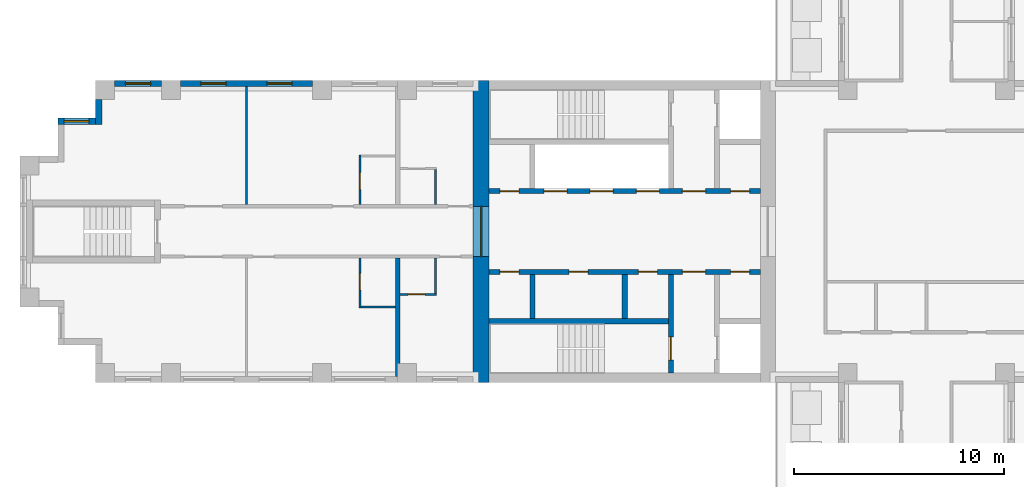
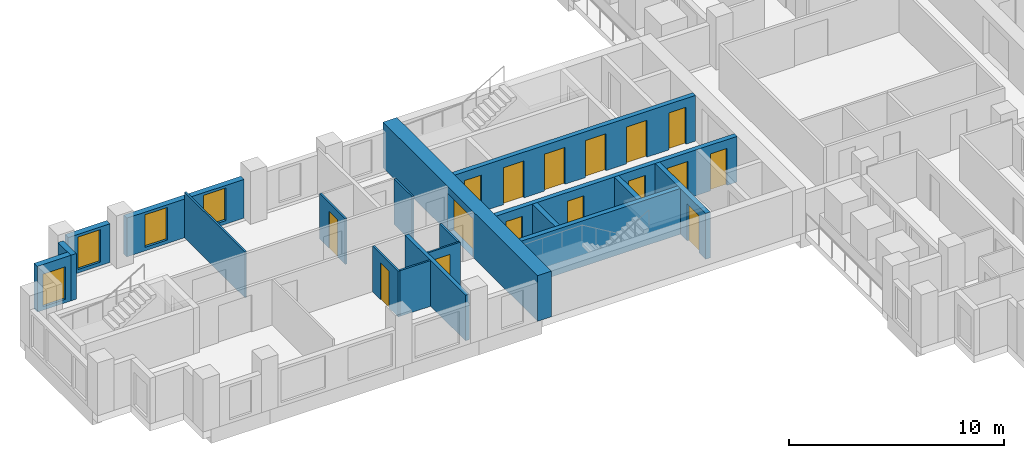
# One storey, part 3 of 11: 19 walls, 16 doors, 4 windows, 20 openings.
"""IFC4 building model written with IfcOpenShell, lengths in metres."""

from ifc_helpers import new_model, si_unit, direction, frame, frame_2d, origin, place, context, subcontext, project, spatial, rectangle, extrude, material, layer, layer_set, type_object, element, fill, save


model = new_model("IFC4")

# Units and contexts
model_context = context("Model", 3, precision=1e-05, world=origin(), true_north=direction((0.0, 1.0)))
body_context = subcontext(model_context, "Body", "Model", "MODEL_VIEW")
ifc_project = project(units=[si_unit("LENGTHUNIT", "METRE"), si_unit("AREAUNIT", "SQUARE_METRE"), si_unit("VOLUMEUNIT", "CUBIC_METRE"), si_unit("PLANEANGLEUNIT", "RADIAN"), si_unit("MASSUNIT", "GRAM", prefix="KILO")], contexts=[model_context])

# Site, building, storey
site_placement = place(None, origin())
site = spatial("IfcSite", under=ifc_project, at=site_placement, CompositionType="ELEMENT")
building_placement = place(site_placement, origin())
building = spatial("IfcBuilding", under=site, at=building_placement, Name="Fustian Cross Tower", CompositionType="ELEMENT")
storey_placement = place(building_placement, frame((0.0, 0.0, 123.300048828125)))
storey = spatial("IfcBuildingStorey", under=building, at=storey_placement, Name="L38", CompositionType="ELEMENT", Elevation=123.300048828125)

# Wall, opening, door
ifc_material_1 = material(Name="Concrete C60/75", Category="concrete")
ifc_layer_1 = layer(ifc_material_1, 0.75)
ifc_layer_set_1 = layer_set([ifc_layer_1], Name="Concrete C60/75")
wall_type_1 = type_object("IfcWallType", Name="CORE END WALL 750 C60/75", PredefinedType="SHEAR", material=ifc_layer_set_1)
wall_1_placement = place(storey_placement, frame((-21.22509765625, -7.199951171875, 0.0), z_axis=(0.0, 0.0, 1.0), x_axis=(0.0, 1.0, 0.0)))
wall_1 = element("IfcWall", 1, at=wall_1_placement, inside=storey, type_object=wall_type_1, Name="Core end wall", PredefinedType="SHEAR", context=body_context, shape_type="SweptSolid", body=[
    extrude(rectangle(XDim=14.39990234375, YDim=0.75, at=frame_2d((7.199951171875, 0.0))), origin(), (0.0, 0.0, 1.0), 2.599853515625),
])
opening_1_placement = place(wall_1_placement, frame((6.0, 0.0, 0.0)))
opening_1 = element("IfcOpeningElement", 2, at=opening_1_placement, cuts=wall_1, Name="Opening CD-16-30", PredefinedType="OPENING", context=body_context, shape_type="SweptSolid", body=[
    extrude(rectangle(XDim=2.39990234375, YDim=2.199951171875, at=frame_2d((1.199951171875, 1.10009765625))), frame((0.0, 0.385009765625, 0.0), z_axis=(0.0, -1.0, 0.0), x_axis=(1.0, 0.0, 0.0)), (0.0, 0.0, 1.0), 0.77001953125),
])
ifc_material_2 = material(Name="Steel", Category="steel")
door_type_1 = type_object("IfcDoorType", Name="FIRE DOOR FD30S DOUBLE 2400X2200", OperationType="DOUBLE_DOOR_DOUBLE_SWING", PredefinedType="DOOR", material=ifc_material_2)
door_1_placement = place(opening_1_placement, frame((2.39990234375, 0.0, 0.0), z_axis=(0.0, 0.0, 1.0), x_axis=(-1.0, 0.0, 0.0)))
door_1 = element("IfcDoor", 3, at=door_1_placement, inside=storey, type_object=door_type_1, Name="Core door CD-16-30", OperationType="DOUBLE_DOOR_DOUBLE_SWING", OverallHeight=2.199951171875, OverallWidth=2.39990234375, PredefinedType="DOOR", context=body_context, shape_type="SweptSolid", body=[
    extrude(rectangle(XDim=2.39990234375, YDim=2.199951171875, at=frame_2d((1.199951171875, 1.10009765625))), frame((0.0, 0.02490234375, 0.0), z_axis=(0.0, -1.0, 0.0), x_axis=(1.0, 0.0, 0.0)), (0.0, 0.0, 1.0), 0.050048828125),
])
fill(opening_1, door_1)

# Wall, openings, doors
ifc_material_3 = material(Name="Concrete C50/60", Category="concrete")
ifc_layer_2 = layer(ifc_material_3, 0.25)
ifc_layer_set_2 = layer_set([ifc_layer_2], Name="Concrete C50/60")
wall_type_2 = type_object("IfcWallType", Name="CORE LOBBY WALL 250 C50/60", PredefinedType="SHEAR", material=ifc_layer_set_2)
wall_2_placement = place(storey_placement, frame((-7.89990234375, 1.925048828125, 0.0), z_axis=(0.0, 0.0, 1.0), x_axis=(-1.0, 0.0, 0.0)))
wall_2 = element("IfcWall", 4, at=wall_2_placement, inside=storey, type_object=wall_type_2, Name="Core lobby wall", PredefinedType="SHEAR", context=body_context, shape_type="SweptSolid", body=[
    extrude(rectangle(XDim=12.9501953125, YDim=0.25, at=frame_2d((6.47509765625, 0.0))), origin(), (0.0, 0.0, 1.0), 2.599853515625),
])
opening_2_placement = place(wall_2_placement, frame((4.824951171875, 0.0, 0.0)))
opening_2 = element("IfcOpeningElement", 5, at=opening_2_placement, cuts=wall_2, Name="Opening LD", PredefinedType="OPENING", context=body_context, shape_type="SweptSolid", body=[
    extrude(rectangle(XDim=1.10009765625, YDim=2.10009765625, at=frame_2d((0.550048828125, 1.050048828125))), frame((0.0, 0.135009765625, 0.0), z_axis=(0.0, -1.0, 0.0), x_axis=(1.0, 0.0, 0.0)), (0.0, 0.0, 1.0), 0.27001953125),
])
opening_3_placement = place(wall_2_placement, frame((7.02490234375, 0.0, 0.0)))
opening_3 = element("IfcOpeningElement", 6, at=opening_3_placement, cuts=wall_2, Name="Opening LD", PredefinedType="OPENING", context=body_context, shape_type="SweptSolid", body=[
    extrude(rectangle(XDim=1.10009765625, YDim=2.10009765625, at=frame_2d((0.550048828125, 1.050048828125))), frame((0.0, 0.135009765625, 0.0), z_axis=(0.0, -1.0, 0.0), x_axis=(1.0, 0.0, 0.0)), (0.0, 0.0, 1.0), 0.27001953125),
])
opening_4_placement = place(wall_2_placement, frame((9.22509765625, 0.0, 0.0)))
opening_4 = element("IfcOpeningElement", 7, at=opening_4_placement, cuts=wall_2, Name="Opening LD", PredefinedType="OPENING", context=body_context, shape_type="SweptSolid", body=[
    extrude(rectangle(XDim=1.10009765625, YDim=2.10009765625, at=frame_2d((0.550048828125, 1.050048828125))), frame((0.0, 0.135009765625, 0.0), z_axis=(0.0, -1.0, 0.0), x_axis=(1.0, 0.0, 0.0)), (0.0, 0.0, 1.0), 0.27001953125),
])
opening_5_placement = place(wall_2_placement, frame((0.52490234375, 0.0, 0.0)))
opening_5 = element("IfcOpeningElement", 8, at=opening_5_placement, cuts=wall_2, Name="Opening CD-16-25", PredefinedType="OPENING", context=body_context, shape_type="SweptSolid", body=[
    extrude(rectangle(XDim=0.89990234375, YDim=2.10009765625, at=frame_2d((0.449951171875, 1.050048828125))), frame((0.0, 0.135009765625, 0.0), z_axis=(0.0, -1.0, 0.0), x_axis=(1.0, 0.0, 0.0)), (0.0, 0.0, 1.0), 0.27001953125),
])
opening_6_placement = place(wall_2_placement, frame((2.625, 0.0, 0.0)))
opening_6 = element("IfcOpeningElement", 9, at=opening_6_placement, cuts=wall_2, Name="Opening CD-16-27", PredefinedType="OPENING", context=body_context, shape_type="SweptSolid", body=[
    extrude(rectangle(XDim=1.10009765625, YDim=2.10009765625, at=frame_2d((0.550048828125, 1.050048828125))), frame((0.0, 0.135009765625, 0.0), z_axis=(0.0, -1.0, 0.0), x_axis=(1.0, 0.0, 0.0)), (0.0, 0.0, 1.0), 0.27001953125),
])
opening_7_placement = place(wall_2_placement, frame((11.52490234375, 0.0, 0.0)))
opening_7 = element("IfcOpeningElement", 10, at=opening_7_placement, cuts=wall_2, Name="Opening CD-16-31", PredefinedType="OPENING", context=body_context, shape_type="SweptSolid", body=[
    extrude(rectangle(XDim=0.89990234375, YDim=2.10009765625, at=frame_2d((0.449951171875, 1.050048828125))), frame((0.0, 0.135009765625, 0.0), z_axis=(0.0, -1.0, 0.0), x_axis=(1.0, 0.0, 0.0)), (0.0, 0.0, 1.0), 0.27001953125),
])
ifc_material_4 = material(Name="Steel", Category="steel")
door_type_2 = type_object("IfcDoorType", Name="FIRE DOOR FD30S 900X2100", OperationType="SINGLE_SWING_LEFT", PredefinedType="DOOR", material=ifc_material_4)
door_2_placement = place(opening_7_placement, frame((0.89990234375, 0.0, 0.0), z_axis=(0.0, 0.0, 1.0), x_axis=(-1.0, 0.0, 0.0)))
door_2 = element("IfcDoor", 11, at=door_2_placement, inside=storey, type_object=door_type_2, Name="Core door CD-16-31", OperationType="SINGLE_SWING_RIGHT", OverallHeight=2.10009765625, OverallWidth=0.89990234375, PredefinedType="DOOR", context=body_context, shape_type="SweptSolid", body=[
    extrude(rectangle(XDim=0.89990234375, YDim=2.10009765625, at=frame_2d((0.449951171875, 1.050048828125))), frame((0.0, 0.02490234375, 0.0), z_axis=(0.0, -1.0, 0.0), x_axis=(1.0, 0.0, 0.0)), (0.0, 0.0, 1.0), 0.050048828125),
])
fill(opening_7, door_2)
ifc_material_5 = material(Name="Steel", Category="steel")
door_type_3 = type_object("IfcDoorType", Name="FIRE DOOR FD60S 1100X2100", OperationType="SINGLE_SWING_LEFT", PredefinedType="DOOR", material=ifc_material_5)
door_3_placement = place(opening_6_placement, frame((1.10009765625, 0.0, 0.0), z_axis=(0.0, 0.0, 1.0), x_axis=(-1.0, 0.0, 0.0)))
door_3 = element("IfcDoor", 12, at=door_3_placement, inside=storey, type_object=door_type_3, Name="Core door CD-16-27", OperationType="SINGLE_SWING_RIGHT", OverallHeight=2.10009765625, OverallWidth=1.10009765625, PredefinedType="DOOR", context=body_context, shape_type="SweptSolid", body=[
    extrude(rectangle(XDim=1.10009765625, YDim=2.10009765625, at=frame_2d((0.550048828125, 1.050048828125))), frame((0.0, 0.02490234375, 0.0), z_axis=(0.0, -1.0, 0.0), x_axis=(1.0, 0.0, 0.0)), (0.0, 0.0, 1.0), 0.050048828125),
])
fill(opening_6, door_3)
ifc_material_6 = material(Name="Steel", Category="steel")
door_type_4 = type_object("IfcDoorType", Name="FIRE DOOR FD60S 900X2100", OperationType="SINGLE_SWING_LEFT", PredefinedType="DOOR", material=ifc_material_6)
door_4_placement = place(opening_5_placement, frame((0.89990234375, 0.0, 0.0), z_axis=(0.0, 0.0, 1.0), x_axis=(-1.0, 0.0, 0.0)))
door_4 = element("IfcDoor", 13, at=door_4_placement, inside=storey, type_object=door_type_4, Name="Core door CD-16-25", OperationType="SINGLE_SWING_RIGHT", OverallHeight=2.10009765625, OverallWidth=0.89990234375, PredefinedType="DOOR", context=body_context, shape_type="SweptSolid", body=[
    extrude(rectangle(XDim=0.89990234375, YDim=2.10009765625, at=frame_2d((0.449951171875, 1.050048828125))), frame((0.0, 0.02490234375, 0.0), z_axis=(0.0, -1.0, 0.0), x_axis=(1.0, 0.0, 0.0)), (0.0, 0.0, 1.0), 0.050048828125),
])
fill(opening_5, door_4)
ifc_material_7 = material(Name="Stainless steel", Category="steel")
door_type_5 = type_object("IfcDoorType", Name="LIFT LANDING DOOR 1100X2100", OperationType="SLIDING_TO_LEFT", PredefinedType="DOOR", material=ifc_material_7)
door_5_placement = place(opening_2_placement, origin())
door_5 = element("IfcDoor", 14, at=door_5_placement, inside=storey, type_object=door_type_5, Name="Landing door HR1W", OperationType="SLIDING_TO_LEFT", OverallHeight=2.10009765625, OverallWidth=1.10009765625, PredefinedType="DOOR", context=body_context, shape_type="SweptSolid", body=[
    extrude(rectangle(XDim=1.10009765625, YDim=2.10009765625, at=frame_2d((0.550048828125, 1.050048828125))), frame((0.0, 0.02490234375, 0.0), z_axis=(0.0, -1.0, 0.0), x_axis=(1.0, 0.0, 0.0)), (0.0, 0.0, 1.0), 0.050048828125),
])
fill(opening_2, door_5)
door_6_placement = place(opening_3_placement, origin())
door_6 = element("IfcDoor", 15, at=door_6_placement, inside=storey, type_object=door_type_5, Name="Landing door HR2W", OperationType="SLIDING_TO_LEFT", OverallHeight=2.10009765625, OverallWidth=1.10009765625, PredefinedType="DOOR", context=body_context, shape_type="SweptSolid", body=[
    extrude(rectangle(XDim=1.10009765625, YDim=2.10009765625, at=frame_2d((0.550048828125, 1.050048828125))), frame((0.0, 0.02490234375, 0.0), z_axis=(0.0, -1.0, 0.0), x_axis=(1.0, 0.0, 0.0)), (0.0, 0.0, 1.0), 0.050048828125),
])
fill(opening_3, door_6)
door_7_placement = place(opening_4_placement, origin())
door_7 = element("IfcDoor", 16, at=door_7_placement, inside=storey, type_object=door_type_5, Name="Landing door HR3W", OperationType="SLIDING_TO_LEFT", OverallHeight=2.10009765625, OverallWidth=1.10009765625, PredefinedType="DOOR", context=body_context, shape_type="SweptSolid", body=[
    extrude(rectangle(XDim=1.10009765625, YDim=2.10009765625, at=frame_2d((0.550048828125, 1.050048828125))), frame((0.0, 0.02490234375, 0.0), z_axis=(0.0, -1.0, 0.0), x_axis=(1.0, 0.0, 0.0)), (0.0, 0.0, 1.0), 0.050048828125),
])
fill(opening_4, door_7)

wall_3_placement = place(storey_placement, frame((-7.89990234375, -1.925048828125, 0.0), z_axis=(0.0, 0.0, 1.0), x_axis=(-1.0, 0.0, 0.0)))
wall_3 = element("IfcWall", 17, at=wall_3_placement, inside=storey, type_object=wall_type_2, Name="Core lobby wall", PredefinedType="SHEAR", context=body_context, shape_type="SweptSolid", body=[
    extrude(rectangle(XDim=12.9501953125, YDim=0.25, at=frame_2d((6.47509765625, 0.0))), origin(), (0.0, 0.0, 1.0), 2.599853515625),
])
opening_8_placement = place(wall_3_placement, frame((0.52490234375, 0.0, 0.0)))
opening_8 = element("IfcOpeningElement", 18, at=opening_8_placement, cuts=wall_3, Name="Opening CD-16-26", PredefinedType="OPENING", context=body_context, shape_type="SweptSolid", body=[
    extrude(rectangle(XDim=0.89990234375, YDim=2.10009765625, at=frame_2d((0.449951171875, 1.050048828125))), frame((0.0, 0.135009765625, 0.0), z_axis=(0.0, -1.0, 0.0), x_axis=(1.0, 0.0, 0.0)), (0.0, 0.0, 1.0), 0.27001953125),
])
opening_9_placement = place(wall_3_placement, frame((2.625, 0.0, 0.0)))
opening_9 = element("IfcOpeningElement", 19, at=opening_9_placement, cuts=wall_3, Name="Opening CD-16-28", PredefinedType="OPENING", context=body_context, shape_type="SweptSolid", body=[
    extrude(rectangle(XDim=1.10009765625, YDim=2.10009765625, at=frame_2d((0.550048828125, 1.050048828125))), frame((0.0, 0.135009765625, 0.0), z_axis=(0.0, -1.0, 0.0), x_axis=(1.0, 0.0, 0.0)), (0.0, 0.0, 1.0), 0.27001953125),
])
opening_10_placement = place(wall_3_placement, frame((4.925048828125, 0.0, 0.0)))
opening_10 = element("IfcOpeningElement", 20, at=opening_10_placement, cuts=wall_3, Name="Opening CD-16-32", PredefinedType="OPENING", context=body_context, shape_type="SweptSolid", body=[
    extrude(rectangle(XDim=0.89990234375, YDim=2.10009765625, at=frame_2d((0.449951171875, 1.050048828125))), frame((0.0, 0.135009765625, 0.0), z_axis=(0.0, -1.0, 0.0), x_axis=(1.0, 0.0, 0.0)), (0.0, 0.0, 1.0), 0.27001953125),
])
opening_11_placement = place(wall_3_placement, frame((8.22509765625, 0.0, 0.0)))
opening_11 = element("IfcOpeningElement", 21, at=opening_11_placement, cuts=wall_3, Name="Opening CD-16-33", PredefinedType="OPENING", context=body_context, shape_type="SweptSolid", body=[
    extrude(rectangle(XDim=0.89990234375, YDim=2.10009765625, at=frame_2d((0.449951171875, 1.050048828125))), frame((0.0, 0.135009765625, 0.0), z_axis=(0.0, -1.0, 0.0), x_axis=(1.0, 0.0, 0.0)), (0.0, 0.0, 1.0), 0.27001953125),
])
opening_12_placement = place(wall_3_placement, frame((11.52490234375, 0.0, 0.0)))
opening_12 = element("IfcOpeningElement", 22, at=opening_12_placement, cuts=wall_3, Name="Opening CD-16-34", PredefinedType="OPENING", context=body_context, shape_type="SweptSolid", body=[
    extrude(rectangle(XDim=0.89990234375, YDim=2.10009765625, at=frame_2d((0.449951171875, 1.050048828125))), frame((0.0, 0.135009765625, 0.0), z_axis=(0.0, -1.0, 0.0), x_axis=(1.0, 0.0, 0.0)), (0.0, 0.0, 1.0), 0.27001953125),
])
ifc_material_8 = material(Name="Steel", Category="steel")
door_type_6 = type_object("IfcDoorType", Name="FIRE DOOR FD30S 1100X2100", OperationType="SINGLE_SWING_LEFT", PredefinedType="DOOR", material=ifc_material_8)
door_8_placement = place(opening_9_placement, frame((1.10009765625, 0.0, 0.0), z_axis=(0.0, 0.0, 1.0), x_axis=(-1.0, 0.0, 0.0)))
door_8 = element("IfcDoor", 23, at=door_8_placement, inside=storey, type_object=door_type_6, Name="Core door CD-16-28", OperationType="SINGLE_SWING_RIGHT", OverallHeight=2.10009765625, OverallWidth=1.10009765625, PredefinedType="DOOR", context=body_context, shape_type="SweptSolid", body=[
    extrude(rectangle(XDim=1.10009765625, YDim=2.10009765625, at=frame_2d((0.550048828125, 1.050048828125))), frame((0.0, 0.02490234375, 0.0), z_axis=(0.0, -1.0, 0.0), x_axis=(1.0, 0.0, 0.0)), (0.0, 0.0, 1.0), 0.050048828125),
])
fill(opening_9, door_8)
door_9_placement = place(opening_8_placement, origin())
door_9 = element("IfcDoor", 24, at=door_9_placement, inside=storey, type_object=door_type_2, Name="Core door CD-16-26", OperationType="SINGLE_SWING_LEFT", OverallHeight=2.10009765625, OverallWidth=0.89990234375, PredefinedType="DOOR", context=body_context, shape_type="SweptSolid", body=[
    extrude(rectangle(XDim=0.89990234375, YDim=2.10009765625, at=frame_2d((0.449951171875, 1.050048828125))), frame((0.0, 0.02490234375, 0.0), z_axis=(0.0, -1.0, 0.0), x_axis=(1.0, 0.0, 0.0)), (0.0, 0.0, 1.0), 0.050048828125),
])
fill(opening_8, door_9)
door_10_placement = place(opening_10_placement, origin())
door_10 = element("IfcDoor", 25, at=door_10_placement, inside=storey, type_object=door_type_2, Name="Core door CD-16-32", OperationType="SINGLE_SWING_LEFT", OverallHeight=2.10009765625, OverallWidth=0.89990234375, PredefinedType="DOOR", context=body_context, shape_type="SweptSolid", body=[
    extrude(rectangle(XDim=0.89990234375, YDim=2.10009765625, at=frame_2d((0.449951171875, 1.050048828125))), frame((0.0, 0.02490234375, 0.0), z_axis=(0.0, -1.0, 0.0), x_axis=(1.0, 0.0, 0.0)), (0.0, 0.0, 1.0), 0.050048828125),
])
fill(opening_10, door_10)
door_11_placement = place(opening_11_placement, origin())
door_11 = element("IfcDoor", 26, at=door_11_placement, inside=storey, type_object=door_type_2, Name="Core door CD-16-33", OperationType="SINGLE_SWING_RIGHT", OverallHeight=2.10009765625, OverallWidth=0.89990234375, PredefinedType="DOOR", context=body_context, shape_type="SweptSolid", body=[
    extrude(rectangle(XDim=0.89990234375, YDim=2.10009765625, at=frame_2d((0.449951171875, 1.050048828125))), frame((0.0, 0.02490234375, 0.0), z_axis=(0.0, -1.0, 0.0), x_axis=(1.0, 0.0, 0.0)), (0.0, 0.0, 1.0), 0.050048828125),
])
fill(opening_11, door_11)
door_12_placement = place(opening_12_placement, origin())
door_12 = element("IfcDoor", 27, at=door_12_placement, inside=storey, type_object=door_type_2, Name="Core door CD-16-34", OperationType="SINGLE_SWING_LEFT", OverallHeight=2.10009765625, OverallWidth=0.89990234375, PredefinedType="DOOR", context=body_context, shape_type="SweptSolid", body=[
    extrude(rectangle(XDim=0.89990234375, YDim=2.10009765625, at=frame_2d((0.449951171875, 1.050048828125))), frame((0.0, 0.02490234375, 0.0), z_axis=(0.0, -1.0, 0.0), x_axis=(1.0, 0.0, 0.0)), (0.0, 0.0, 1.0), 0.050048828125),
])
fill(opening_12, door_12)

# Wall
ifc_material_9 = material(Name="Concrete C50/60", Category="concrete")
ifc_layer_3 = layer(ifc_material_9, 0.25)
ifc_layer_set_3 = layer_set([ifc_layer_3], Name="Concrete C50/60")
wall_type_3 = type_object("IfcWallType", Name="CORE SHAFT WALL 250 C50/60", PredefinedType="SHEAR", material=ifc_layer_set_3)
wall_4_placement = place(storey_placement, frame((-12.300048828125, -4.27490234375, 0.0), z_axis=(0.0, 0.0, 1.0), x_axis=(-1.0, 0.0, 0.0)))
element("IfcWall", 28, at=wall_4_placement, inside=storey, type_object=wall_type_3, Name="Core shaft wall", PredefinedType="SHEAR", context=body_context, shape_type="SweptSolid", body=[
    extrude(rectangle(XDim=8.550048828125, YDim=0.25, at=frame_2d((4.27490234375, 0.0))), origin(), (0.0, 0.0, 1.0), 2.599853515625),
])

# Wall, opening, door
wall_5_placement = place(storey_placement, frame((-12.175048828125, -2.050048828125, 0.0), z_axis=(0.0, 0.0, 1.0), x_axis=(0.0, -1.0, 0.0)))
wall_5 = element("IfcWall", 29, at=wall_5_placement, inside=storey, type_object=wall_type_3, Name="Core shaft wall", PredefinedType="SHEAR", context=body_context, shape_type="SweptSolid", body=[
    extrude(rectangle(XDim=4.699951171875, YDim=0.25, at=frame_2d((2.35009765625, 0.0))), origin(), (0.0, 0.0, 1.0), 2.599853515625),
])
opening_13_placement = place(wall_5_placement, frame((2.97509765625, 0.0, 0.0)))
opening_13 = element("IfcOpeningElement", 30, at=opening_13_placement, cuts=wall_5, Name="Opening CD-16-24", PredefinedType="OPENING", context=body_context, shape_type="SweptSolid", body=[
    extrude(rectangle(XDim=1.10009765625, YDim=2.10009765625, at=frame_2d((0.550048828125, 1.050048828125))), frame((0.0, 0.135009765625, 0.0), z_axis=(0.0, -1.0, 0.0), x_axis=(1.0, 0.0, 0.0)), (0.0, 0.0, 1.0), 0.27001953125),
])
door_13_placement = place(opening_13_placement, frame((1.10009765625, 0.0, 0.0), z_axis=(0.0, 0.0, 1.0), x_axis=(-1.0, 0.0, 0.0)))
door_13 = element("IfcDoor", 31, at=door_13_placement, inside=storey, type_object=door_type_3, Name="Core door CD-16-24", OperationType="SINGLE_SWING_RIGHT", OverallHeight=2.10009765625, OverallWidth=1.10009765625, PredefinedType="DOOR", context=body_context, shape_type="SweptSolid", body=[
    extrude(rectangle(XDim=1.10009765625, YDim=2.10009765625, at=frame_2d((0.550048828125, 1.050048828125))), frame((0.0, 0.02490234375, 0.0), z_axis=(0.0, -1.0, 0.0), x_axis=(1.0, 0.0, 0.0)), (0.0, 0.0, 1.0), 0.050048828125),
])
fill(opening_13, door_13)

# Wall
ifc_material_10 = material(Name="Plasterboard on steel stud", Category="steel")
ifc_layer_4 = layer(ifc_material_10, 0.10009765625)
ifc_layer_set_4 = layer_set([ifc_layer_4], Name="Plasterboard on steel stud")
wall_type_4 = type_object("IfcWallType", Name="PARTITION 100 STUD", PredefinedType="PARTITIONING", material=ifc_layer_set_4)
wall_6_placement = place(storey_placement, frame((-32.39990234375, 1.27490234375, 0.0), z_axis=(0.0, 0.0, 1.0), x_axis=(0.0, 1.0, 0.0)))
element("IfcWall", 32, at=wall_6_placement, inside=storey, type_object=wall_type_4, Name="Partition 4", PredefinedType="PARTITIONING", context=body_context, shape_type="SweptSolid", body=[
    extrude(rectangle(XDim=5.625, YDim=0.10009765625, at=frame_2d((2.8125, 0.0))), origin(), (0.0, 0.0, 1.0), 2.599853515625),
])

# Wall, opening, door
wall_7_placement = place(storey_placement, frame((-27.0, -3.64990234375, 0.0), z_axis=(0.0, 0.0, 1.0), x_axis=(0.0, 1.0, 0.0)))
wall_7 = element("IfcWall", 33, at=wall_7_placement, inside=storey, type_object=wall_type_4, Name="Partition 5", PredefinedType="PARTITIONING", context=body_context, shape_type="SweptSolid", body=[
    extrude(rectangle(XDim=2.375, YDim=0.10009765625, at=frame_2d((1.1875, 0.0))), origin(), (0.0, 0.0, 1.0), 2.599853515625),
])
opening_14_placement = place(wall_7_placement, frame((0.85009765625, 0.0, 0.0)))
opening_14 = element("IfcOpeningElement", 34, at=opening_14_placement, cuts=wall_7, Name="Opening D18025", PredefinedType="OPENING", context=body_context, shape_type="SweptSolid", body=[
    extrude(rectangle(XDim=0.800048828125, YDim=2.10009765625, at=frame_2d((0.39990234375, 1.050048828125))), frame((0.0, 0.06005859375, 0.0), z_axis=(0.0, -1.0, 0.0), x_axis=(1.0, 0.0, 0.0)), (0.0, 0.0, 1.0), 0.1201171875),
])
ifc_material_11 = material(Name="Painted timber", Category="wood")
door_type_7 = type_object("IfcDoorType", Name="SWING DOOR 800", OperationType="SINGLE_SWING_LEFT", PredefinedType="DOOR", material=ifc_material_11)
door_14_placement = place(opening_14_placement, frame((0.800048828125, 0.0, 0.0), z_axis=(0.0, 0.0, 1.0), x_axis=(-1.0, 0.0, 0.0)))
door_14 = element("IfcDoor", 35, at=door_14_placement, inside=storey, type_object=door_type_7, Name="Door D18025", OperationType="SINGLE_SWING_RIGHT", OverallHeight=2.10009765625, OverallWidth=0.800048828125, PredefinedType="DOOR", context=body_context, shape_type="SweptSolid", body=[
    extrude(rectangle(XDim=0.800048828125, YDim=2.10009765625, at=frame_2d((0.39990234375, 1.050048828125))), frame((0.0, 0.02490234375, 0.0), z_axis=(0.0, -1.0, 0.0), x_axis=(1.0, 0.0, 0.0)), (0.0, 0.0, 1.0), 0.050048828125),
])
fill(opening_14, door_14)

# Wall
wall_8_placement = place(storey_placement, frame((-26.949951171875, -3.60009765625, 0.0), z_axis=(0.0, 0.0, 1.0), x_axis=(1.0, 0.0, 0.0)))
element("IfcWall", 36, at=wall_8_placement, inside=storey, type_object=wall_type_4, Name="Partition 6", PredefinedType="PARTITIONING", context=body_context, shape_type="SweptSolid", body=[
    extrude(rectangle(XDim=1.64990234375, YDim=0.10009765625, at=frame_2d((0.824951171875, 0.0))), origin(), (0.0, 0.0, 1.0), 2.599853515625),
])

# Wall, opening, door
wall_9_placement = place(storey_placement, frame((-27.0, 1.27490234375, 0.0), z_axis=(0.0, 0.0, 1.0), x_axis=(0.0, 1.0, 0.0)))
wall_9 = element("IfcWall", 37, at=wall_9_placement, inside=storey, type_object=wall_type_4, Name="Partition 7", PredefinedType="PARTITIONING", context=body_context, shape_type="SweptSolid", body=[
    extrude(rectangle(XDim=2.375, YDim=0.10009765625, at=frame_2d((1.1875, 0.0))), origin(), (0.0, 0.0, 1.0), 2.599853515625),
])
opening_15_placement = place(wall_9_placement, frame((0.72509765625, 0.0, 0.0)))
opening_15 = element("IfcOpeningElement", 38, at=opening_15_placement, cuts=wall_9, Name="Opening D18030", PredefinedType="OPENING", context=body_context, shape_type="SweptSolid", body=[
    extrude(rectangle(XDim=0.800048828125, YDim=2.10009765625, at=frame_2d((0.39990234375, 1.050048828125))), frame((0.0, 0.06005859375, 0.0), z_axis=(0.0, -1.0, 0.0), x_axis=(1.0, 0.0, 0.0)), (0.0, 0.0, 1.0), 0.1201171875),
])
door_15_placement = place(opening_15_placement, frame((0.800048828125, 0.0, 0.0), z_axis=(0.0, 0.0, 1.0), x_axis=(-1.0, 0.0, 0.0)))
door_15 = element("IfcDoor", 39, at=door_15_placement, inside=storey, type_object=door_type_7, Name="Door D18030", OperationType="SINGLE_SWING_RIGHT", OverallHeight=2.10009765625, OverallWidth=0.800048828125, PredefinedType="DOOR", context=body_context, shape_type="SweptSolid", body=[
    extrude(rectangle(XDim=0.800048828125, YDim=2.10009765625, at=frame_2d((0.39990234375, 1.050048828125))), frame((0.0, 0.02490234375, 0.0), z_axis=(0.0, -1.0, 0.0), x_axis=(1.0, 0.0, 0.0)), (0.0, 0.0, 1.0), 0.050048828125),
])
fill(opening_15, door_15)

wall_10_placement = place(storey_placement, frame((-25.10009765625, -3.0, 0.0), z_axis=(0.0, 0.0, 1.0), x_axis=(1.0, 0.0, 0.0)))
wall_10 = element("IfcWall", 40, at=wall_10_placement, inside=storey, type_object=wall_type_4, Name="Partition 10", PredefinedType="PARTITIONING", context=body_context, shape_type="SweptSolid", body=[
    extrude(rectangle(XDim=1.75, YDim=0.10009765625, at=frame_2d((0.875, 0.0))), origin(), (0.0, 0.0, 1.0), 2.599853515625),
])
opening_16_placement = place(wall_10_placement, frame((0.39990234375, 0.0, 0.0)))
opening_16 = element("IfcOpeningElement", 41, at=opening_16_placement, cuts=wall_10, Name="Opening D18023", PredefinedType="OPENING", context=body_context, shape_type="SweptSolid", body=[
    extrude(rectangle(XDim=0.800048828125, YDim=2.10009765625, at=frame_2d((0.39990234375, 1.050048828125))), frame((0.0, 0.06005859375, 0.0), z_axis=(0.0, -1.0, 0.0), x_axis=(1.0, 0.0, 0.0)), (0.0, 0.0, 1.0), 0.1201171875),
])
door_16_placement = place(opening_16_placement, origin())
door_16 = element("IfcDoor", 42, at=door_16_placement, inside=storey, type_object=door_type_7, Name="Door D18023", OperationType="SINGLE_SWING_RIGHT", OverallHeight=2.10009765625, OverallWidth=0.800048828125, PredefinedType="DOOR", context=body_context, shape_type="SweptSolid", body=[
    extrude(rectangle(XDim=0.800048828125, YDim=2.10009765625, at=frame_2d((0.39990234375, 1.050048828125))), frame((0.0, 0.02490234375, 0.0), z_axis=(0.0, -1.0, 0.0), x_axis=(1.0, 0.0, 0.0)), (0.0, 0.0, 1.0), 0.050048828125),
])
fill(opening_16, door_16)

# Walls
for number, where, z_axis, x_axis, name in (
    (43, (-23.39990234375, -2.949951171875, 0.0), (0.0, 0.0, 1.0), (0.0, 1.0, 0.0), "Partition 13"),
    (44, (-23.39990234375, 1.27490234375, 0.0), (0.0, 0.0, 1.0), (0.0, 1.0, 0.0), "Partition 14"),
):
    element("IfcWall", number, at=place(storey_placement, frame(where, z_axis=z_axis, x_axis=x_axis)), inside=storey, type_object=wall_type_4, Name=name, PredefinedType="PARTITIONING", context=body_context, shape_type="SweptSolid", body=[
        extrude(rectangle(XDim=1.675048828125, YDim=0.10009765625, at=frame_2d((0.83740234375, 0.0))), origin(), (0.0, 0.0, 1.0), 2.599853515625),
    ])
ifc_material_12 = material(Name="Plasterboard on steel stud", Category="steel")
ifc_layer_5 = layer(ifc_material_12, 0.199951171875)
ifc_layer_set_5 = layer_set([ifc_layer_5], Name="Plasterboard on steel stud")
wall_type_5 = type_object("IfcWallType", Name="PARTY WALL 200 EI 60", PredefinedType="PARTITIONING", material=ifc_layer_set_5)
wall_11_placement = place(storey_placement, frame((-25.199951171875, -6.89990234375, 0.0), z_axis=(0.0, 0.0, 1.0), x_axis=(0.0, 1.0, 0.0)))
element("IfcWall", 45, at=wall_11_placement, inside=storey, type_object=wall_type_5, Name="Partition 9", PredefinedType="PARTITIONING", context=body_context, shape_type="SweptSolid", body=[
    extrude(rectangle(XDim=5.625, YDim=0.199951171875, at=frame_2d((2.8125, 0.0))), origin(), (0.0, 0.0, 1.0), 2.599853515625),
])
ifc_material_13 = material(Name="Concrete C40/50", Category="concrete")
ifc_layer_6 = layer(ifc_material_13, 0.25)
ifc_layer_set_6 = layer_set([ifc_layer_6], Name="Concrete C40/50")
wall_type_6 = type_object("IfcWallType", Name="SHAFT PARTITION WALL 250 C40/50", PredefinedType="PARTITIONING", material=ifc_layer_set_6)
for number, where, z_axis, x_axis, name in (
    (46, (-14.375, -2.050048828125, 0.0), (0.0, 0.0, 1.0), (0.0, -1.0, 0.0), "Core shaft wall"),
    (47, (-18.77490234375, -2.050048828125, 0.0), (0.0, 0.0, 1.0), (0.0, -1.0, 0.0), "Core shaft wall"),
):
    element("IfcWall", number, at=place(storey_placement, frame(where, z_axis=z_axis, x_axis=x_axis)), inside=storey, type_object=wall_type_6, Name=name, PredefinedType="PARTITIONING", context=body_context, shape_type="SweptSolid", body=[
        extrude(rectangle(XDim=2.099853515625, YDim=0.25, at=frame_2d((1.0498046875, 0.0))), origin(), (0.0, 0.0, 1.0), 2.599853515625),
    ])

# Wall, openings, windows
ifc_material_14 = material(Name="Dark aluminium cladding on insulated backing wall", Category="aluminium")
ifc_layer_7 = layer(ifc_material_14, 0.300048828125)
ifc_layer_set_7 = layer_set([ifc_layer_7], Name="Dark aluminium cladding on insulated backing wall")
wall_type_7 = type_object("IfcWallType", Name="XW1 EXTERNAL WALL 300", PredefinedType="SOLIDWALL", material=ifc_layer_set_7)
wall_12_placement = place(storey_placement, frame((-29.25, 7.050048828125, 0.0), z_axis=(0.0, 0.0, 1.0), x_axis=(-1.0, 0.0, 0.0)))
wall_12 = element("IfcWall", 48, at=wall_12_placement, inside=storey, type_object=wall_type_7, Name="External wall", PredefinedType="SOLIDWALL", context=body_context, shape_type="SweptSolid", body=[
    extrude(rectangle(XDim=6.300048828125, YDim=0.300048828125, at=frame_2d((3.14990234375, 0.0))), origin(), (0.0, 0.0, 1.0), 2.199951171875),
])
opening_17_placement = place(wall_12_placement, frame((0.97509765625, 0.0, 0.199951171875)))
opening_17 = element("IfcOpeningElement", 49, at=opening_17_placement, cuts=wall_12, Name="Opening WN3", PredefinedType="OPENING", context=body_context, shape_type="SweptSolid", body=[
    extrude(rectangle(XDim=1.199951171875, YDim=1.85009765625, at=frame_2d((0.60009765625, 0.925048828125))), frame((0.0, 0.159912109375, 0.0), z_axis=(0.0, -1.0, 0.0), x_axis=(1.0, 0.0, 0.0)), (0.0, 0.0, 1.0), 0.320068359375),
])
opening_18_placement = place(wall_12_placement, frame((4.125, 0.0, 0.199951171875)))
opening_18 = element("IfcOpeningElement", 50, at=opening_18_placement, cuts=wall_12, Name="Opening WN3", PredefinedType="OPENING", context=body_context, shape_type="SweptSolid", body=[
    extrude(rectangle(XDim=1.199951171875, YDim=1.85009765625, at=frame_2d((0.60009765625, 0.925048828125))), frame((0.0, 0.159912109375, 0.0), z_axis=(0.0, -1.0, 0.0), x_axis=(1.0, 0.0, 0.0)), (0.0, 0.0, 1.0), 0.320068359375),
])
ifc_material_15 = material(Name="Dark anodised aluminium and double glazing", Category="aluminium")
window_type = type_object("IfcWindowType", Name="WN3 WINDOW 1200X1850", PartitioningType="SINGLE_PANEL", PredefinedType="WINDOW", material=ifc_material_15)
window_1_placement = place(opening_17_placement, origin())
window_1 = element("IfcWindow", 51, at=window_1_placement, inside=storey, type_object=window_type, Name="Window", OverallHeight=1.85009765625, OverallWidth=1.199951171875, PartitioningType="SINGLE_PANEL", PredefinedType="WINDOW", context=body_context, shape_type="SweptSolid", body=[
    extrude(rectangle(XDim=1.199951171875, YDim=1.85009765625, at=frame_2d((0.60009765625, 0.925048828125))), frame((0.0, 0.030029296875, 0.0), z_axis=(0.0, -1.0, 0.0), x_axis=(1.0, 0.0, 0.0)), (0.0, 0.0, 1.0), 0.06005859375),
])
fill(opening_17, window_1)
window_2_placement = place(opening_18_placement, origin())
window_2 = element("IfcWindow", 52, at=window_2_placement, inside=storey, type_object=window_type, Name="Window", OverallHeight=1.85009765625, OverallWidth=1.199951171875, PartitioningType="SINGLE_PANEL", PredefinedType="WINDOW", context=body_context, shape_type="SweptSolid", body=[
    extrude(rectangle(XDim=1.199951171875, YDim=1.85009765625, at=frame_2d((0.60009765625, 0.925048828125))), frame((0.0, 0.030029296875, 0.0), z_axis=(0.0, -1.0, 0.0), x_axis=(1.0, 0.0, 0.0)), (0.0, 0.0, 1.0), 0.06005859375),
])
fill(opening_18, window_2)

# Wall, opening, window
wall_13_placement = place(storey_placement, frame((-36.449951171875, 7.050048828125, 0.0), z_axis=(0.0, 0.0, 1.0), x_axis=(-1.0, 0.0, 0.0)))
wall_13 = element("IfcWall", 53, at=wall_13_placement, inside=storey, type_object=wall_type_7, Name="External wall", PredefinedType="SOLIDWALL", context=body_context, shape_type="SweptSolid", body=[
    extrude(rectangle(XDim=2.25, YDim=0.300048828125, at=frame_2d((1.125, 0.0))), origin(), (0.0, 0.0, 1.0), 2.199951171875),
])
opening_19_placement = place(wall_13_placement, frame((0.52490234375, 0.0, 0.199951171875)))
opening_19 = element("IfcOpeningElement", 54, at=opening_19_placement, cuts=wall_13, Name="Opening WN3", PredefinedType="OPENING", context=body_context, shape_type="SweptSolid", body=[
    extrude(rectangle(XDim=1.199951171875, YDim=1.85009765625, at=frame_2d((0.60009765625, 0.925048828125))), frame((0.0, 0.159912109375, 0.0), z_axis=(0.0, -1.0, 0.0), x_axis=(1.0, 0.0, 0.0)), (0.0, 0.0, 1.0), 0.320068359375),
])
window_3_placement = place(opening_19_placement, origin())
window_3 = element("IfcWindow", 55, at=window_3_placement, inside=storey, type_object=window_type, Name="Window", OverallHeight=1.85009765625, OverallWidth=1.199951171875, PartitioningType="SINGLE_PANEL", PredefinedType="WINDOW", context=body_context, shape_type="SweptSolid", body=[
    extrude(rectangle(XDim=1.199951171875, YDim=1.85009765625, at=frame_2d((0.60009765625, 0.925048828125))), frame((0.0, 0.030029296875, 0.0), z_axis=(0.0, -1.0, 0.0), x_axis=(1.0, 0.0, 0.0)), (0.0, 0.0, 1.0), 0.06005859375),
])
fill(opening_19, window_3)

# Wall
wall_14_placement = place(storey_placement, frame((-39.449951171875, 6.300048828125, 0.0), z_axis=(0.0, 0.0, 1.0), x_axis=(0.0, -1.0, 0.0)))
element("IfcWall", 56, at=wall_14_placement, inside=storey, type_object=wall_type_7, Name="External wall", PredefinedType="SOLIDWALL", context=body_context, shape_type="SweptSolid", body=[
    extrude(rectangle(XDim=1.199951171875, YDim=0.300048828125, at=frame_2d((0.60009765625, 0.0))), origin(), (0.0, 0.0, 1.0), 2.599853515625),
])

# Wall, opening, window
wall_15_placement = place(storey_placement, frame((-39.60009765625, 5.25, 0.0), z_axis=(0.0, 0.0, 1.0), x_axis=(-1.0, 0.0, 0.0)))
wall_15 = element("IfcWall", 57, at=wall_15_placement, inside=storey, type_object=wall_type_7, Name="External wall", PredefinedType="SOLIDWALL", context=body_context, shape_type="SweptSolid", body=[
    extrude(rectangle(XDim=1.7998046875, YDim=0.300048828125, at=frame_2d((0.89990234375, 0.0))), origin(), (0.0, 0.0, 1.0), 2.599853515625),
])
opening_20_placement = place(wall_15_placement, frame((0.300048828125, 0.0, 0.199951171875)))
opening_20 = element("IfcOpeningElement", 58, at=opening_20_placement, cuts=wall_15, Name="Opening WN3", PredefinedType="OPENING", context=body_context, shape_type="SweptSolid", body=[
    extrude(rectangle(XDim=1.199951171875, YDim=1.85009765625, at=frame_2d((0.60009765625, 0.925048828125))), frame((0.0, 0.159912109375, 0.0), z_axis=(0.0, -1.0, 0.0), x_axis=(1.0, 0.0, 0.0)), (0.0, 0.0, 1.0), 0.320068359375),
])
window_4_placement = place(opening_20_placement, origin())
window_4 = element("IfcWindow", 59, at=window_4_placement, inside=storey, type_object=window_type, Name="Window", OverallHeight=1.85009765625, OverallWidth=1.199951171875, PartitioningType="SINGLE_PANEL", PredefinedType="WINDOW", context=body_context, shape_type="SweptSolid", body=[
    extrude(rectangle(XDim=1.199951171875, YDim=1.85009765625, at=frame_2d((0.60009765625, 0.925048828125))), frame((0.0, 0.030029296875, 0.0), z_axis=(0.0, -1.0, 0.0), x_axis=(1.0, 0.0, 0.0)), (0.0, 0.0, 1.0), 0.06005859375),
])
fill(opening_20, window_4)

save(model, "model.ifc")
